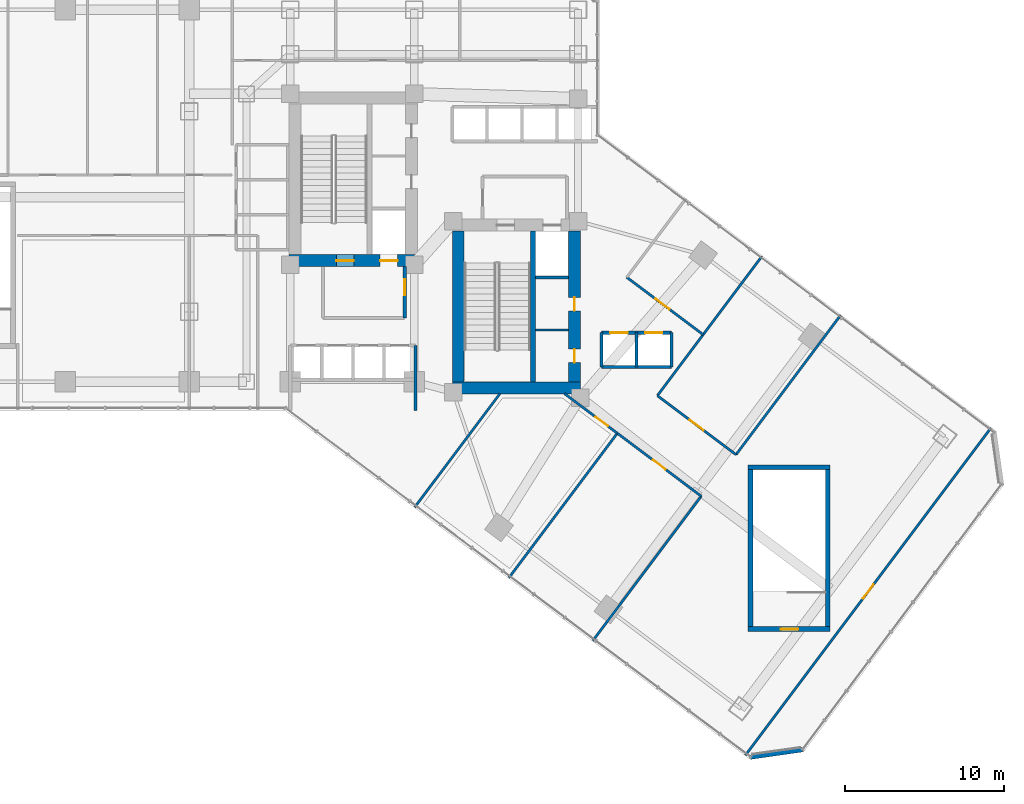
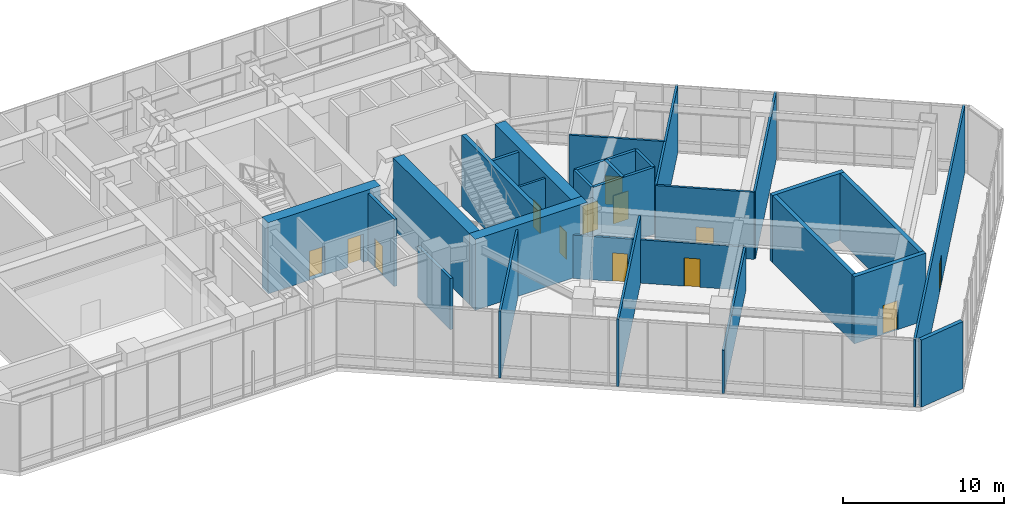
# One storey, part 33 of 38: 29 walls, 13 doors, 13 openings.
"""IFC4 building model written with IfcOpenShell, lengths in metres."""

from ifc_helpers import new_model, si_unit, direction, frame, frame_2d, origin, place, context, subcontext, project, spatial, rectangle, extrude, material, layer, layer_set, type_object, element, fill, save


model = new_model("IFC4")

# Units and contexts
model_context = context("Model", 3, precision=1e-05, world=origin(), true_north=direction((0.0, 1.0)))
body_context = subcontext(model_context, "Body", "Model", "MODEL_VIEW")
ifc_project = project(units=[si_unit("LENGTHUNIT", "METRE"), si_unit("AREAUNIT", "SQUARE_METRE"), si_unit("VOLUMEUNIT", "CUBIC_METRE"), si_unit("PLANEANGLEUNIT", "RADIAN"), si_unit("MASSUNIT", "GRAM", prefix="KILO")], contexts=[model_context])

# Site, building, storey
site_placement = place(None, origin())
site = spatial("IfcSite", under=ifc_project, at=site_placement, CompositionType="ELEMENT")
building_placement = place(site_placement, origin())
building = spatial("IfcBuilding", under=site, at=building_placement, Name="Hatsunagi Terrace Concourse", CompositionType="ELEMENT")
storey_placement = place(building_placement, frame((0.0, 0.0, 21.60009765625)))
storey = spatial("IfcBuildingStorey", under=building, at=storey_placement, Name="L05", CompositionType="ELEMENT", Elevation=21.60009765625)

# Wall, openings, doors
ifc_material_1 = material(Name="Concrete Fc60", Category="concrete")
ifc_layer_1 = layer(ifc_material_1, 0.75)
ifc_layer_set_1 = layer_set([ifc_layer_1], Name="CoreShearWall_Fc60_750")
wall_type_1 = type_object("IfcWallType", Name="CoreShearWall_Fc60_750", PredefinedType="SHEAR", material=ifc_layer_set_1)
wall_1_placement = place(storey_placement, frame((25.469970703125, 32.81494140625, 0.0), z_axis=(0.0, 0.0, 1.0), x_axis=(1.0, 0.0, 0.0)))
wall_1 = element("IfcWall", 1, at=wall_1_placement, inside=storey, type_object=wall_type_1, Name="Core A Shear Wall S L05", PredefinedType="SHEAR", context=body_context, shape_type="SweptSolid", body=[
    extrude(rectangle(XDim=8.080078125, YDim=0.75, at=frame_2d((4.0400390625, 0.0))), origin(), (0.0, 0.0, 1.0), 5.39990234375),
])
opening_1_placement = place(wall_1_placement, frame((2.97998046875, 0.0, 0.0)))
opening_1 = element("IfcOpeningElement", 2, at=opening_1_placement, cuts=wall_1, Name="Opening DR-110S", PredefinedType="OPENING", context=body_context, shape_type="SweptSolid", body=[
    extrude(rectangle(XDim=1.10009765625, YDim=2.199951171875, at=frame_2d((0.550048828125, 1.10009765625))), frame((0.0, 0.385009765625, 0.0), z_axis=(0.0, -1.0, 0.0), x_axis=(1.0, 0.0, 0.0)), (0.0, 0.0, 1.0), 0.77001953125),
])
opening_2_placement = place(wall_1_placement, frame((5.72998046875, 0.0, 0.0)))
opening_2 = element("IfcOpeningElement", 3, at=opening_2_placement, cuts=wall_1, Name="Opening LD-01", PredefinedType="OPENING", context=body_context, shape_type="SweptSolid", body=[
    extrude(rectangle(XDim=1.10009765625, YDim=2.14990234375, at=frame_2d((0.550048828125, 1.074951171875))), frame((0.0, 0.385009765625, 0.0), z_axis=(0.0, -1.0, 0.0), x_axis=(1.0, 0.0, 0.0)), (0.0, 0.0, 1.0), 0.77001953125),
])
ifc_material_2 = material(Name="Stainless steel", Category="steel")
door_type_1 = type_object("IfcDoorType", Name="LiftLandingDoor_LD01", OperationType="SLIDING_TO_LEFT", PredefinedType="USERDEFINED", material=ifc_material_2)
door_1_placement = place(opening_2_placement, origin())
door_1 = element("IfcDoor", 4, at=door_1_placement, inside=storey, type_object=door_type_1, Name="Lift landing door FF-01 L05", ObjectType="SLIDING_LANDING_DOOR", OperationType="SLIDING_TO_LEFT", OverallHeight=2.14990234375, OverallWidth=1.10009765625, PredefinedType="USERDEFINED", context=body_context, shape_type="SweptSolid", body=[
    extrude(rectangle(XDim=1.10009765625, YDim=2.14990234375, at=frame_2d((0.550048828125, 1.074951171875))), frame((0.0, 0.02490234375, 0.0), z_axis=(0.0, -1.0, 0.0), x_axis=(1.0, 0.0, 0.0)), (0.0, 0.0, 1.0), 0.050048828125),
])
fill(opening_2, door_1)
ifc_material_3 = material(Name="Painted steel", Category="steel")
door_type_2 = type_object("IfcDoorType", Name="StairFireDoor_EI60_1100", OperationType="NOTDEFINED", PredefinedType="DOOR", material=ifc_material_3)
door_2_placement = place(opening_1_placement, origin())
door_2 = element("IfcDoor", 5, at=door_2_placement, inside=storey, type_object=door_type_2, Name="Stair ST-A Exit Door L05", OperationType="SINGLE_SWING_LEFT", OverallHeight=2.199951171875, OverallWidth=1.10009765625, PredefinedType="DOOR", context=body_context, shape_type="SweptSolid", body=[
    extrude(rectangle(XDim=1.10009765625, YDim=2.199951171875, at=frame_2d((0.550048828125, 1.10009765625))), frame((0.0, 0.02490234375, 0.0), z_axis=(0.0, -1.0, 0.0), x_axis=(1.0, 0.0, 0.0)), (0.0, 0.0, 1.0), 0.050048828125),
])
fill(opening_1, door_2)

# Walls
wall_2_placement = place(storey_placement, frame((35.739990234375, 24.81494140625, 0.0), z_axis=(0.0, 0.0, 1.0), x_axis=(1.0, 0.0, 0.0)))
element("IfcWall", 6, at=wall_2_placement, inside=storey, type_object=wall_type_1, Name="Core B Shear Wall S L05", PredefinedType="SHEAR", context=body_context, shape_type="SweptSolid", body=[
    extrude(rectangle(XDim=8.06005859375, YDim=0.75, at=frame_2d((4.030029296875, 0.0))), origin(), (0.0, 0.0, 1.0), 5.39990234375),
])
wall_3_placement = place(storey_placement, frame((36.114990234375, 25.18994140625, 0.0), z_axis=(0.0, 0.0, 1.0), x_axis=(0.0, 1.0, 0.0)))
element("IfcWall", 7, at=wall_3_placement, inside=storey, type_object=wall_type_1, Name="Core B Shear Wall W L05", PredefinedType="SHEAR", context=body_context, shape_type="SweptSolid", body=[
    extrude(rectangle(XDim=9.47998046875, YDim=0.75, at=frame_2d((4.739990234375, 0.0))), origin(), (0.0, 0.0, 1.0), 5.39990234375),
])

# Wall, openings, doors
wall_4_placement = place(storey_placement, frame((43.425048828125, 25.18994140625, 0.0), z_axis=(0.0, 0.0, 1.0), x_axis=(0.0, 1.0, 0.0)))
wall_4 = element("IfcWall", 8, at=wall_4_placement, inside=storey, type_object=wall_type_1, Name="Core B Shear Wall E L05", PredefinedType="SHEAR", context=body_context, shape_type="SweptSolid", body=[
    extrude(rectangle(XDim=9.47998046875, YDim=0.75, at=frame_2d((4.739990234375, 0.0))), origin(), (0.0, 0.0, 1.0), 5.39990234375),
])
opening_3_placement = place(wall_4_placement, frame((1.2099609375, 0.0, 0.0)))
opening_3 = element("IfcOpeningElement", 9, at=opening_3_placement, cuts=wall_4, Name="Opening DR-085", PredefinedType="OPENING", context=body_context, shape_type="SweptSolid", body=[
    extrude(rectangle(XDim=0.85009765625, YDim=2.080078125, at=frame_2d((0.425048828125, 1.0400390625))), frame((0.0, 0.385009765625, 0.0), z_axis=(0.0, -1.0, 0.0), x_axis=(1.0, 0.0, 0.0)), (0.0, 0.0, 1.0), 0.77001953125),
])
opening_4_placement = place(wall_4_placement, frame((4.4599609375, 0.0, 0.0)))
opening_4 = element("IfcOpeningElement", 10, at=opening_4_placement, cuts=wall_4, Name="Opening DR-085", PredefinedType="OPENING", context=body_context, shape_type="SweptSolid", body=[
    extrude(rectangle(XDim=0.85009765625, YDim=2.080078125, at=frame_2d((0.425048828125, 1.0400390625))), frame((0.0, 0.385009765625, 0.0), z_axis=(0.0, -1.0, 0.0), x_axis=(1.0, 0.0, 0.0)), (0.0, 0.0, 1.0), 0.77001953125),
])
ifc_material_4 = material(Name="Painted steel", Category="steel")
door_type_3 = type_object("IfcDoorType", Name="RiserAccessDoor_EI60_850", OperationType="NOTDEFINED", PredefinedType="DOOR", material=ifc_material_4)
door_3_placement = place(opening_3_placement, origin())
door_3 = element("IfcDoor", 11, at=door_3_placement, inside=storey, type_object=door_type_3, Name="Core B Riser Door L05-1", OperationType="SINGLE_SWING_RIGHT", OverallHeight=2.080078125, OverallWidth=0.85009765625, PredefinedType="DOOR", context=body_context, shape_type="SweptSolid", body=[
    extrude(rectangle(XDim=0.85009765625, YDim=2.080078125, at=frame_2d((0.425048828125, 1.0400390625))), frame((0.0, 0.02490234375, 0.0), z_axis=(0.0, -1.0, 0.0), x_axis=(1.0, 0.0, 0.0)), (0.0, 0.0, 1.0), 0.050048828125),
])
fill(opening_3, door_3)
door_4_placement = place(opening_4_placement, origin())
door_4 = element("IfcDoor", 12, at=door_4_placement, inside=storey, type_object=door_type_3, Name="Core B Riser Door L05-2", OperationType="SINGLE_SWING_RIGHT", OverallHeight=2.080078125, OverallWidth=0.85009765625, PredefinedType="DOOR", context=body_context, shape_type="SweptSolid", body=[
    extrude(rectangle(XDim=0.85009765625, YDim=2.080078125, at=frame_2d((0.425048828125, 1.0400390625))), frame((0.0, 0.02490234375, 0.0), z_axis=(0.0, -1.0, 0.0), x_axis=(1.0, 0.0, 0.0)), (0.0, 0.0, 1.0), 0.050048828125),
])
fill(opening_4, door_4)

# Wall
ifc_material_5 = material(Name="Concrete Fc48", Category="concrete")
ifc_layer_2 = layer(ifc_material_5, 0.300048828125)
ifc_layer_set_2 = layer_set([ifc_layer_2], Name="CoreStairDivider_Fc48_300")
wall_type_2 = type_object("IfcWallType", Name="CoreStairDivider_Fc48_300", PredefinedType="SHEAR", material=ifc_layer_set_2)
wall_5_placement = place(storey_placement, frame((40.81005859375, 25.18994140625, 0.0), z_axis=(0.0, 0.0, 1.0), x_axis=(0.0, 1.0, 0.0)))
element("IfcWall", 13, at=wall_5_placement, inside=storey, type_object=wall_type_2, Name="Core B Shear Wall D L05", PredefinedType="SHEAR", context=body_context, shape_type="SweptSolid", body=[
    extrude(rectangle(XDim=9.47998046875, YDim=0.300048828125, at=frame_2d((4.739990234375, 0.0))), origin(), (0.0, 0.0, 1.0), 5.39990234375),
])

# Wall, opening, door
wall_6_placement = place(storey_placement, frame((54.340087890625, 9.639892578125, 0.0), z_axis=(0.0, 0.0, 1.0), x_axis=(1.0, 0.0, 0.0)))
wall_6 = element("IfcWall", 14, at=wall_6_placement, inside=storey, type_object=wall_type_2, Name="Podium Stair P2 Shear Wall S L05", PredefinedType="SHEAR", context=body_context, shape_type="SweptSolid", body=[
    extrude(rectangle(XDim=5.169921875, YDim=0.300048828125, at=frame_2d((2.5849609375, 0.0))), origin(), (0.0, 0.0, 1.0), 5.099853515625),
])
opening_5_placement = place(wall_6_placement, frame((2.06005859375, 0.0, 0.0)))
opening_5 = element("IfcOpeningElement", 15, at=opening_5_placement, cuts=wall_6, Name="Opening DR-110S", PredefinedType="OPENING", context=body_context, shape_type="SweptSolid", body=[
    extrude(rectangle(XDim=1.10009765625, YDim=2.199951171875, at=frame_2d((0.550048828125, 1.10009765625))), frame((0.0, 0.159912109375, 0.0), z_axis=(0.0, -1.0, 0.0), x_axis=(1.0, 0.0, 0.0)), (0.0, 0.0, 1.0), 0.320068359375),
])
door_5_placement = place(opening_5_placement, origin())
door_5 = element("IfcDoor", 16, at=door_5_placement, inside=storey, type_object=door_type_2, Name="Stair ST-P2 Exit Door L05", OperationType="SINGLE_SWING_RIGHT", OverallHeight=2.199951171875, OverallWidth=1.10009765625, PredefinedType="DOOR", context=body_context, shape_type="SweptSolid", body=[
    extrude(rectangle(XDim=1.10009765625, YDim=2.199951171875, at=frame_2d((0.550048828125, 1.10009765625))), frame((0.0, 0.02490234375, 0.0), z_axis=(0.0, -1.0, 0.0), x_axis=(1.0, 0.0, 0.0)), (0.0, 0.0, 1.0), 0.050048828125),
])
fill(opening_5, door_5)

# Walls
wall_7_placement = place(storey_placement, frame((54.340087890625, 19.820068359375, 0.0), z_axis=(0.0, 0.0, 1.0), x_axis=(1.0, 0.0, 0.0)))
element("IfcWall", 17, at=wall_7_placement, inside=storey, type_object=wall_type_2, Name="Podium Stair P2 Shear Wall N L05", PredefinedType="SHEAR", context=body_context, shape_type="SweptSolid", body=[
    extrude(rectangle(XDim=5.169921875, YDim=0.300048828125, at=frame_2d((2.5849609375, 0.0))), origin(), (0.0, 0.0, 1.0), 5.099853515625),
])
for number, where, z_axis, x_axis, name in (
    (18, (54.489990234375, 9.7900390625, 0.0), (0.0, 0.0, 1.0), (0.0, 1.0, 0.0), "Podium Stair P2 Shear Wall W L05"),
    (19, (59.360107421875, 9.7900390625, 0.0), (0.0, 0.0, 1.0), (0.0, 1.0, 0.0), "Podium Stair P2 Shear Wall E L05"),
):
    element("IfcWall", number, at=place(storey_placement, frame(where, z_axis=z_axis, x_axis=x_axis)), inside=storey, type_object=wall_type_2, Name=name, PredefinedType="SHEAR", context=body_context, shape_type="SweptSolid", body=[
        extrude(rectangle(XDim=9.8798828125, YDim=0.300048828125, at=frame_2d((4.93994140625, 0.0))), origin(), (0.0, 0.0, 1.0), 5.099853515625),
    ])
ifc_material_6 = material(Name="Acoustic mineral board", Category="gypsum")
ifc_layer_3 = layer(ifc_material_6, 0.14990234375)
ifc_layer_set_3 = layer_set([ifc_layer_3], Name="PartitionWall_EI60_150")
wall_type_3 = type_object("IfcWallType", Name="PartitionWall_EI60_150", PredefinedType="PARTITIONING", material=ifc_layer_set_3)
wall_8_placement = place(storey_placement, frame((40.969970703125, 28.449951171875, 0.0), z_axis=(0.0, 0.0, 1.0), x_axis=(1.0, 0.0, 0.0)))
element("IfcWall", 20, at=wall_8_placement, inside=storey, type_object=wall_type_3, Name="Interior Partition IW-L05-004", PredefinedType="PARTITIONING", context=body_context, shape_type="SweptSolid", body=[
    extrude(rectangle(XDim=2.080078125, YDim=0.14990234375, at=frame_2d((1.0400390625, 0.0))), origin(), (0.0, 0.0, 1.0), 5.099853515625),
])

# Wall, opening, door
wall_9_placement = place(storey_placement, frame((48.639892578125, 24.320068359375, 0.0), z_axis=(0.0, 0.0, 1.0), x_axis=(0.80000474051, -0.599993679268, 0.0)))
wall_9 = element("IfcWall", 21, at=wall_9_placement, inside=storey, type_object=wall_type_3, Name="Interior Partition IW-L05-058", PredefinedType="PARTITIONING", context=body_context, shape_type="SweptSolid", body=[
    extrude(rectangle(XDim=6.18017578125, YDim=0.14990234375, at=frame_2d((3.090087890625, 0.0))), origin(), (0.0, 0.0, 1.0), 5.099853515625),
])
opening_6_placement = place(wall_9_placement, frame((2.5400390625, 0.0, 0.0)))
opening_6 = element("IfcOpeningElement", 22, at=opening_6_placement, cuts=wall_9, Name="Opening DR-110W", PredefinedType="OPENING", context=body_context, shape_type="SweptSolid", body=[
    extrude(rectangle(XDim=1.10009765625, YDim=2.159912109375, at=frame_2d((0.550048828125, 1.080078125))), frame((0.0, 0.0849609375, 0.0), z_axis=(0.0, -1.0, 0.0), x_axis=(1.0, 0.0, 0.0)), (0.0, 0.0, 1.0), 0.169921875),
])
ifc_material_7 = material(Name="Hardwood timber", Category="wood")
door_type_4 = type_object("IfcDoorType", Name="SuiteWideDoor_EI30_1100", OperationType="NOTDEFINED", PredefinedType="DOOR", material=ifc_material_7)
door_6_placement = place(opening_6_placement, origin())
door_6 = element("IfcDoor", 23, at=door_6_placement, inside=storey, type_object=door_type_4, Name="Plenary Ballroom L05-P5BALL Door", OperationType="SINGLE_SWING_LEFT", OverallHeight=2.159912109375, OverallWidth=1.10009765625, PredefinedType="DOOR", context=body_context, shape_type="SweptSolid", body=[
    extrude(rectangle(XDim=1.10009765625, YDim=2.159912109375, at=frame_2d((0.550048828125, 1.080078125))), frame((0.0, 0.02490234375, 0.0), z_axis=(0.0, -1.0, 0.0), x_axis=(1.0, 0.0, 0.0)), (0.0, 0.0, 1.0), 0.050048828125),
])
fill(opening_6, door_6)

# Walls
wall_10_placement = place(storey_placement, frame((48.639892578125, 24.320068359375, 0.0), z_axis=(0.0, 0.0, 1.0), x_axis=(0.600017820398, 0.799986634391, 0.0)))
element("IfcWall", 24, at=wall_10_placement, inside=storey, type_object=wall_type_3, Name="Interior Partition IW-L05-059", PredefinedType="PARTITIONING", context=body_context, shape_type="SweptSolid", body=[
    extrude(rectangle(XDim=10.9599609375, YDim=0.14990234375, at=frame_2d((5.47998046875, 0.0))), origin(), (0.0, 0.0, 1.0), 5.099853515625),
])
wall_11_placement = place(storey_placement, frame((53.583984375, 20.612060546875, 0.0), z_axis=(0.0, 0.0, 1.0), x_axis=(0.600003564151, 0.799997326874, 0.0)))
element("IfcWall", 25, at=wall_11_placement, inside=storey, type_object=wall_type_3, Name="Interior Partition IW-L05-060", PredefinedType="PARTITIONING", context=body_context, shape_type="SweptSolid", body=[
    extrude(rectangle(XDim=10.959716796875, YDim=0.14990234375, at=frame_2d((5.47998046875, 0.0))), origin(), (0.0, 0.0, 1.0), 5.099853515625),
])

# Wall, opening, door
wall_12_placement = place(storey_placement, frame((46.1201171875, 21.9599609375, 0.0), z_axis=(0.0, 0.0, 1.0), x_axis=(0.799991121809, -0.600011837406, 0.0)))
wall_12 = element("IfcWall", 26, at=wall_12_placement, inside=storey, type_object=wall_type_3, Name="Interior Partition IW-L05-061", PredefinedType="PARTITIONING", context=body_context, shape_type="SweptSolid", body=[
    extrude(rectangle(XDim=6.599853515625, YDim=0.14990234375, at=frame_2d((3.2998046875, 0.0))), origin(), (0.0, 0.0, 1.0), 3.294921875),
])
opening_7_placement = place(wall_12_placement, frame((2.800048828125, 0.0, 0.0)))
opening_7 = element("IfcOpeningElement", 27, at=opening_7_placement, cuts=wall_12, Name="Opening DR-100S", PredefinedType="OPENING", context=body_context, shape_type="SweptSolid", body=[
    extrude(rectangle(XDim=1.0, YDim=2.14990234375, at=frame_2d((0.5, 1.074951171875))), frame((0.0, 0.0849609375, 0.0), z_axis=(0.0, -1.0, 0.0), x_axis=(1.0, 0.0, 0.0)), (0.0, 0.0, 1.0), 0.169921875),
])
ifc_material_8 = material(Name="Hardwood timber", Category="wood")
door_type_5 = type_object("IfcDoorType", Name="SuiteDoor_EI30_1000", OperationType="NOTDEFINED", PredefinedType="DOOR", material=ifc_material_8)
door_7_placement = place(opening_7_placement, origin())
door_7 = element("IfcDoor", 28, at=door_7_placement, inside=storey, type_object=door_type_5, Name="Catering Pantry L05-P5CAT Door", OperationType="SINGLE_SWING_RIGHT", OverallHeight=2.14990234375, OverallWidth=1.0, PredefinedType="DOOR", context=body_context, shape_type="SweptSolid", body=[
    extrude(rectangle(XDim=1.0, YDim=2.14990234375, at=frame_2d((0.5, 1.074951171875))), frame((0.0, 0.02490234375, 0.0), z_axis=(0.0, -1.0, 0.0), x_axis=(1.0, 0.0, 0.0)), (0.0, 0.0, 1.0), 0.050048828125),
])
fill(opening_7, door_7)

# Walls
wall_13_placement = place(storey_placement, frame((39.303955078125, 12.8720703125, 0.0), z_axis=(0.0, 0.0, 1.0), x_axis=(0.600013754301, 0.79998968409, 0.0)))
element("IfcWall", 29, at=wall_13_placement, inside=storey, type_object=wall_type_3, Name="Interior Partition IW-L05-062", PredefinedType="PARTITIONING", context=body_context, shape_type="SweptSolid", body=[
    extrude(rectangle(XDim=11.360107421875, YDim=0.14990234375, at=frame_2d((5.68017578125, 0.0))), origin(), (0.0, 0.0, 1.0), 5.099853515625),
])
wall_14_placement = place(storey_placement, frame((44.583984375, 8.912109375, 0.0), z_axis=(0.0, 0.0, 1.0), x_axis=(0.6, 0.8, 0.0)))
element("IfcWall", 30, at=wall_14_placement, inside=storey, type_object=wall_type_3, Name="Interior Partition IW-L05-063", PredefinedType="PARTITIONING", context=body_context, shape_type="SweptSolid", body=[
    extrude(rectangle(XDim=11.35986328125, YDim=0.14990234375, at=frame_2d((5.679931640625, 0.0))), origin(), (0.0, 0.0, 1.0), 3.294921875),
])

# Wall, opening, door
wall_15_placement = place(storey_placement, frame((54.18408203125, 1.7119140625, 0.0), z_axis=(0.0, 0.0, 1.0), x_axis=(0.59999392496, 0.800004556244, 0.0)))
wall_15 = element("IfcWall", 31, at=wall_15_placement, inside=storey, type_object=wall_type_3, Name="Interior Partition IW-L05-064", PredefinedType="PARTITIONING", context=body_context, shape_type="SweptSolid", body=[
    extrude(rectangle(XDim=25.719970703125, YDim=0.14990234375, at=frame_2d((12.85986328125, 0.0))), origin(), (0.0, 0.0, 1.0), 5.099853515625),
])
opening_8_placement = place(wall_15_placement, frame((12.31005859375, 0.0, 0.0)))
opening_8 = element("IfcOpeningElement", 32, at=opening_8_placement, cuts=wall_15, Name="Opening DR-110F", PredefinedType="OPENING", context=body_context, shape_type="SweptSolid", body=[
    extrude(rectangle(XDim=1.10009765625, YDim=2.239990234375, at=frame_2d((0.550048828125, 1.1201171875))), frame((0.0, 0.0849609375, 0.0), z_axis=(0.0, -1.0, 0.0), x_axis=(1.0, 0.0, 0.0)), (0.0, 0.0, 1.0), 0.169921875),
])
ifc_material_9 = material(Name="Painted steel", Category="steel")
door_type_6 = type_object("IfcDoorType", Name="FireDoor_EI60_1100", OperationType="NOTDEFINED", PredefinedType="DOOR", material=ifc_material_9)
door_8_placement = place(opening_8_placement, origin())
door_8 = element("IfcDoor", 33, at=door_8_placement, inside=storey, type_object=door_type_6, Name="Archive Storage Room L05-P5TIP Door", OperationType="SINGLE_SWING_RIGHT", OverallHeight=2.239990234375, OverallWidth=1.10009765625, PredefinedType="DOOR", context=body_context, shape_type="SweptSolid", body=[
    extrude(rectangle(XDim=1.10009765625, YDim=2.239990234375, at=frame_2d((0.550048828125, 1.1201171875))), frame((0.0, 0.02490234375, 0.0), z_axis=(0.0, -1.0, 0.0), x_axis=(1.0, 0.0, 0.0)), (0.0, 0.0, 1.0), 0.050048828125),
])
fill(opening_8, door_8)

wall_16_placement = place(storey_placement, frame((46.719970703125, 31.760009765625, 0.0), z_axis=(0.0, 0.0, 1.0), x_axis=(0.79999511724, -0.600006510291, 0.0)))
wall_16 = element("IfcWall", 34, at=wall_16_placement, inside=storey, type_object=wall_type_3, Name="Interior Partition IW-L05-065", PredefinedType="PARTITIONING", context=body_context, shape_type="SweptSolid", body=[
    extrude(rectangle(XDim=6.0, YDim=0.14990234375, at=frame_2d((3.0, 0.0))), origin(), (0.0, 0.0, 1.0), 5.099853515625),
])
opening_9_placement = place(wall_16_placement, frame((2.242919921875, 0.0, 0.0)))
opening_9 = element("IfcOpeningElement", 35, at=opening_9_placement, cuts=wall_16, Name="Opening DR-110W", PredefinedType="OPENING", context=body_context, shape_type="SweptSolid", body=[
    extrude(rectangle(XDim=1.10009765625, YDim=2.159912109375, at=frame_2d((0.550048828125, 1.080078125))), frame((0.0, 0.0849609375, 0.0), z_axis=(0.0, -1.0, 0.0), x_axis=(1.0, 0.0, 0.0)), (0.0, 0.0, 1.0), 0.169921875),
])
door_9_placement = place(opening_9_placement, origin())
door_9 = element("IfcDoor", 36, at=door_9_placement, inside=storey, type_object=door_type_4, Name="Delegate Pre-Function Lounge L05-PREG5 Door", OperationType="SINGLE_SWING_RIGHT", OverallHeight=2.159912109375, OverallWidth=1.10009765625, PredefinedType="DOOR", context=body_context, shape_type="SweptSolid", body=[
    extrude(rectangle(XDim=1.10009765625, YDim=2.159912109375, at=frame_2d((0.550048828125, 1.080078125))), frame((0.0, 0.02490234375, 0.0), z_axis=(0.0, -1.0, 0.0), x_axis=(1.0, 0.0, 0.0)), (0.0, 0.0, 1.0), 0.050048828125),
])
fill(opening_9, door_9)

wall_17_placement = place(storey_placement, frame((42.787109375, 24.4599609375, 0.0), z_axis=(0.0, 0.0, 1.0), x_axis=(0.799971872363, -0.600037501685, 0.0)))
wall_17 = element("IfcWall", 37, at=wall_17_placement, inside=storey, type_object=wall_type_3, Name="Interior Partition IW-L05-067", PredefinedType="PARTITIONING", context=body_context, shape_type="SweptSolid", body=[
    extrude(rectangle(XDim=4.16650390625, YDim=0.14990234375, at=frame_2d((2.083251953125, 0.0))), origin(), (0.0, 0.0, 1.0), 3.294921875),
])
opening_10_placement = place(wall_17_placement, frame((2.468017578125, 0.0, 0.0)))
opening_10 = element("IfcOpeningElement", 38, at=opening_10_placement, cuts=wall_17, Name="Opening DR-095", PredefinedType="OPENING", context=body_context, shape_type="SweptSolid", body=[
    extrude(rectangle(XDim=0.949951171875, YDim=2.14990234375, at=frame_2d((0.47509765625, 1.074951171875))), frame((0.0, 0.0849609375, 0.0), z_axis=(0.0, -1.0, 0.0), x_axis=(1.0, 0.0, 0.0)), (0.0, 0.0, 1.0), 0.169921875),
])
ifc_material_10 = material(Name="Hardwood timber", Category="wood")
door_type_7 = type_object("IfcDoorType", Name="InteriorSuiteDoor_EI30_950", OperationType="NOTDEFINED", PredefinedType="DOOR", material=ifc_material_10)
door_10_placement = place(opening_10_placement, origin())
door_10 = element("IfcDoor", 39, at=door_10_placement, inside=storey, type_object=door_type_7, Name="Exhibition Lounge L05-PSW5 Door", OperationType="SINGLE_SWING_RIGHT", OverallHeight=2.14990234375, OverallWidth=0.949951171875, PredefinedType="DOOR", context=body_context, shape_type="SweptSolid", body=[
    extrude(rectangle(XDim=0.949951171875, YDim=2.14990234375, at=frame_2d((0.47509765625, 1.074951171875))), frame((0.0, 0.02490234375, 0.0), z_axis=(0.0, -1.0, 0.0), x_axis=(1.0, 0.0, 0.0)), (0.0, 0.0, 1.0), 0.050048828125),
])
fill(opening_10, door_10)

# Walls
wall_18_placement = place(storey_placement, frame((33.384033203125, 17.31201171875, 0.0), z_axis=(0.0, 0.0, 1.0), x_axis=(0.600008743659, 0.799993442181, 0.0)))
element("IfcWall", 40, at=wall_18_placement, inside=storey, type_object=wall_type_3, Name="Interior Partition IW-L05-068", PredefinedType="PARTITIONING", context=body_context, shape_type="SweptSolid", body=[
    extrude(rectangle(XDim=8.93505859375, YDim=0.14990234375, at=frame_2d((4.467529296875, 0.0))), origin(), (0.0, 0.0, 1.0), 5.099853515625),
])
ifc_material_11 = material(Name="Acoustic mineral board", Category="gypsum")
ifc_layer_4 = layer(ifc_material_11, 0.199951171875)
ifc_layer_set_4 = layer_set([ifc_layer_4], Name="ShaftWall_EI120_200")
wall_type_4 = type_object("IfcWallType", Name="ShaftWall_EI120_200", PredefinedType="STANDARD", material=ifc_layer_set_4)
wall_19_placement = place(storey_placement, frame((40.969970703125, 31.760009765625, 0.0), z_axis=(0.0, 0.0, 1.0), x_axis=(1.0, 0.0, 0.0)))
element("IfcWall", 41, at=wall_19_placement, inside=storey, type_object=wall_type_4, Name="Interior Partition IW-L05-003", PredefinedType="STANDARD", context=body_context, shape_type="SweptSolid", body=[
    extrude(rectangle(XDim=2.080078125, YDim=0.199951171875, at=frame_2d((1.0400390625, 0.0))), origin(), (0.0, 0.0, 1.0), 5.099853515625),
])

# Wall, opening, door
wall_20_placement = place(storey_placement, frame((32.75, 29.199951171875, 0.0), z_axis=(0.0, 0.0, 1.0), x_axis=(0.0, 1.0, 0.0)))
wall_20 = element("IfcWall", 42, at=wall_20_placement, inside=storey, type_object=wall_type_4, Name="Interior Partition IW-L05-007", PredefinedType="STANDARD", context=body_context, shape_type="SweptSolid", body=[
    extrude(rectangle(XDim=3.239990234375, YDim=0.199951171875, at=frame_2d((1.6201171875, 0.0))), origin(), (0.0, 0.0, 1.0), 5.099853515625),
])
opening_11_placement = place(wall_20_placement, frame((1.449951171875, 0.0, 0.0)))
opening_11 = element("IfcOpeningElement", 43, at=opening_11_placement, cuts=wall_20, Name="Opening DR-100F", PredefinedType="OPENING", context=body_context, shape_type="SweptSolid", body=[
    extrude(rectangle(XDim=1.0, YDim=2.199951171875, at=frame_2d((0.5, 1.10009765625))), frame((0.0, 0.10986328125, 0.0), z_axis=(0.0, -1.0, 0.0), x_axis=(1.0, 0.0, 0.0)), (0.0, 0.0, 1.0), 0.219970703125),
])
ifc_material_12 = material(Name="Painted steel", Category="steel")
door_type_8 = type_object("IfcDoorType", Name="FireDoor_EI60_1000", OperationType="NOTDEFINED", PredefinedType="DOOR", material=ifc_material_12)
door_11_placement = place(opening_11_placement, origin())
door_11 = element("IfcDoor", 44, at=door_11_placement, inside=storey, type_object=door_type_8, Name="Firefighting Lobby A Door L05", OperationType="SINGLE_SWING_RIGHT", OverallHeight=2.199951171875, OverallWidth=1.0, PredefinedType="DOOR", context=body_context, shape_type="SweptSolid", body=[
    extrude(rectangle(XDim=1.0, YDim=2.199951171875, at=frame_2d((0.5, 1.10009765625))), frame((0.0, 0.02490234375, 0.0), z_axis=(0.0, -1.0, 0.0), x_axis=(1.0, 0.0, 0.0)), (0.0, 0.0, 1.0), 0.050048828125),
])
fill(opening_11, door_11)

# Walls
wall_21_placement = place(storey_placement, frame((33.429931640625, 23.39990234375, 0.0), z_axis=(0.0, 0.0, 1.0), x_axis=(0.0, 1.0, 0.0)))
element("IfcWall", 45, at=wall_21_placement, inside=storey, type_object=wall_type_4, Name="Interior Partition IW-L05-012", PredefinedType="STANDARD", context=body_context, shape_type="SweptSolid", body=[
    extrude(rectangle(XDim=4.080078125, YDim=0.199951171875, at=frame_2d((2.0400390625, 0.0))), origin(), (0.0, 0.0, 1.0), 3.89501953125),
])
wall_22_placement = place(storey_placement, frame((45.1201171875, 26.1201171875, 0.0), z_axis=(0.0, 0.0, 1.0), x_axis=(1.0, 0.0, 0.0)))
element("IfcWall", 46, at=wall_22_placement, inside=storey, type_object=wall_type_4, Name="Interior Partition IW-L05-024", PredefinedType="STANDARD", context=body_context, shape_type="SweptSolid", body=[
    extrude(rectangle(XDim=4.39990234375, YDim=0.199951171875, at=frame_2d((2.199951171875, 0.0))), origin(), (0.0, 0.0, 1.0), 5.099853515625),
])
for number, where, z_axis, x_axis, name in (
    (47, (45.1201171875, 26.1201171875, 0.0), (0.0, 0.0, 1.0), (0.0, 1.0, 0.0), "Interior Partition IW-L05-025"),
    (48, (49.52001953125, 26.1201171875, 0.0), (0.0, 0.0, 1.0), (0.0, 1.0, 0.0), "Interior Partition IW-L05-026"),
    (49, (47.320068359375, 26.1201171875, 0.0), (0.0, 0.0, 1.0), (0.0, 1.0, 0.0), "Interior Partition IW-L05-027"),
):
    element("IfcWall", number, at=place(storey_placement, frame(where, z_axis=z_axis, x_axis=x_axis)), inside=storey, type_object=wall_type_4, Name=name, PredefinedType="STANDARD", context=body_context, shape_type="SweptSolid", body=[
        extrude(rectangle(XDim=2.159912109375, YDim=0.199951171875, at=frame_2d((1.080078125, 0.0))), origin(), (0.0, 0.0, 1.0), 5.099853515625),
    ])

# Wall, openings, doors
wall_23_placement = place(storey_placement, frame((45.1201171875, 28.280029296875, 0.0), z_axis=(0.0, 0.0, 1.0), x_axis=(1.0, 0.0, 0.0)))
wall_23 = element("IfcWall", 50, at=wall_23_placement, inside=storey, type_object=wall_type_4, Name="Interior Partition IW-L05-028", PredefinedType="STANDARD", context=body_context, shape_type="SweptSolid", body=[
    extrude(rectangle(XDim=4.39990234375, YDim=0.199951171875, at=frame_2d((2.199951171875, 0.0))), origin(), (0.0, 0.0, 1.0), 5.099853515625),
])
opening_12_placement = place(wall_23_placement, frame((0.56005859375, 0.0, 0.0)))
opening_12 = element("IfcOpeningElement", 51, at=opening_12_placement, cuts=wall_23, Name="Opening LD-03", PredefinedType="OPENING", context=body_context, shape_type="SweptSolid", body=[
    extrude(rectangle(XDim=1.080078125, YDim=2.14990234375, at=frame_2d((0.5400390625, 1.074951171875))), frame((0.0, 0.10986328125, 0.0), z_axis=(0.0, -1.0, 0.0), x_axis=(1.0, 0.0, 0.0)), (0.0, 0.0, 1.0), 0.219970703125),
])
opening_13_placement = place(wall_23_placement, frame((2.760009765625, 0.0, 0.0)))
opening_13 = element("IfcOpeningElement", 52, at=opening_13_placement, cuts=wall_23, Name="Opening LD-03", PredefinedType="OPENING", context=body_context, shape_type="SweptSolid", body=[
    extrude(rectangle(XDim=1.080078125, YDim=2.14990234375, at=frame_2d((0.5400390625, 1.074951171875))), frame((0.0, 0.10986328125, 0.0), z_axis=(0.0, -1.0, 0.0), x_axis=(1.0, 0.0, 0.0)), (0.0, 0.0, 1.0), 0.219970703125),
])
ifc_material_13 = material(Name="Stainless steel", Category="steel")
door_type_9 = type_object("IfcDoorType", Name="LiftLandingDoor_LD03", OperationType="SLIDING_TO_LEFT", PredefinedType="USERDEFINED", material=ifc_material_13)
door_12_placement = place(opening_12_placement, origin())
door_12 = element("IfcDoor", 53, at=door_12_placement, inside=storey, type_object=door_type_9, Name="Lift landing door PL-09 L05", ObjectType="SLIDING_LANDING_DOOR", OperationType="SLIDING_TO_LEFT", OverallHeight=2.14990234375, OverallWidth=1.080078125, PredefinedType="USERDEFINED", context=body_context, shape_type="SweptSolid", body=[
    extrude(rectangle(XDim=1.080078125, YDim=2.14990234375, at=frame_2d((0.5400390625, 1.074951171875))), frame((0.0, 0.02490234375, 0.0), z_axis=(0.0, -1.0, 0.0), x_axis=(1.0, 0.0, 0.0)), (0.0, 0.0, 1.0), 0.050048828125),
])
fill(opening_12, door_12)
door_13_placement = place(opening_13_placement, origin())
door_13 = element("IfcDoor", 54, at=door_13_placement, inside=storey, type_object=door_type_9, Name="Lift landing door PL-10 L05", ObjectType="SLIDING_LANDING_DOOR", OperationType="SLIDING_TO_LEFT", OverallHeight=2.14990234375, OverallWidth=1.080078125, PredefinedType="USERDEFINED", context=body_context, shape_type="SweptSolid", body=[
    extrude(rectangle(XDim=1.080078125, YDim=2.14990234375, at=frame_2d((0.5400390625, 1.074951171875))), frame((0.0, 0.02490234375, 0.0), z_axis=(0.0, -1.0, 0.0), x_axis=(1.0, 0.0, 0.0)), (0.0, 0.0, 1.0), 0.050048828125),
])
fill(opening_13, door_13)

# Wall
ifc_material_14 = material(Name="Autoclaved Lightweight Concrete and Terracotta Cladding", Category="masonry")
ifc_layer_5 = layer(ifc_material_14, 0.280029296875)
ifc_layer_set_5 = layer_set([ifc_layer_5], Name="TerracottaSpandrelWall_280")
wall_type_5 = type_object("IfcWallType", Name="TerracottaSpandrelWall_280", PredefinedType="STANDARD", material=ifc_layer_set_5)
wall_24_placement = place(storey_placement, frame((57.762939453125, 2.050048828125, 0.0), z_axis=(0.0, 0.0, 1.0), x_axis=(-0.989967361922, -0.141296221922, 0.0)))
element("IfcWall", 55, at=wall_24_placement, inside=storey, type_object=wall_type_5, Name="Exterior Spandrel Wall EW-L05-04", PredefinedType="STANDARD", context=body_context, shape_type="SweptSolid", body=[
    extrude(rectangle(XDim=3.27783203125, YDim=0.280029296875, at=frame_2d((1.638916015625, 0.0))), origin(), (0.0, 0.0, 1.0), 5.099853515625),
])

save(model, "model.ifc")
